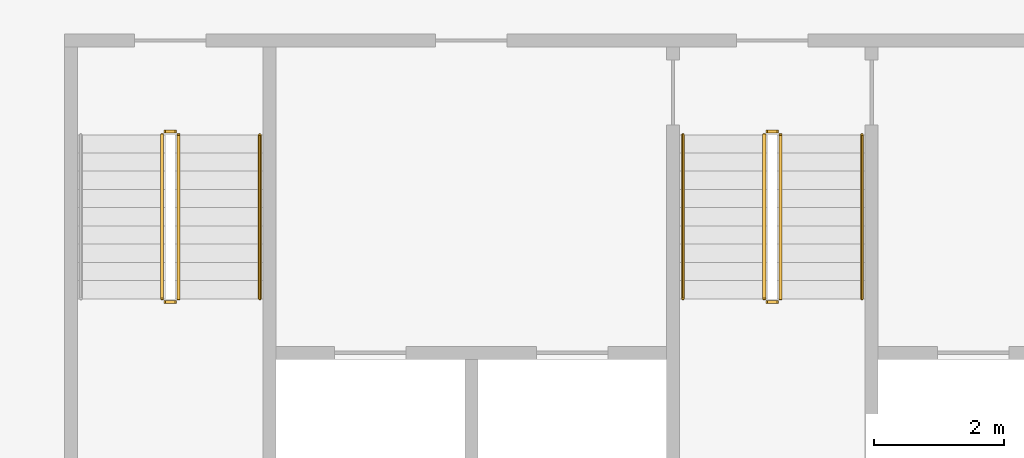
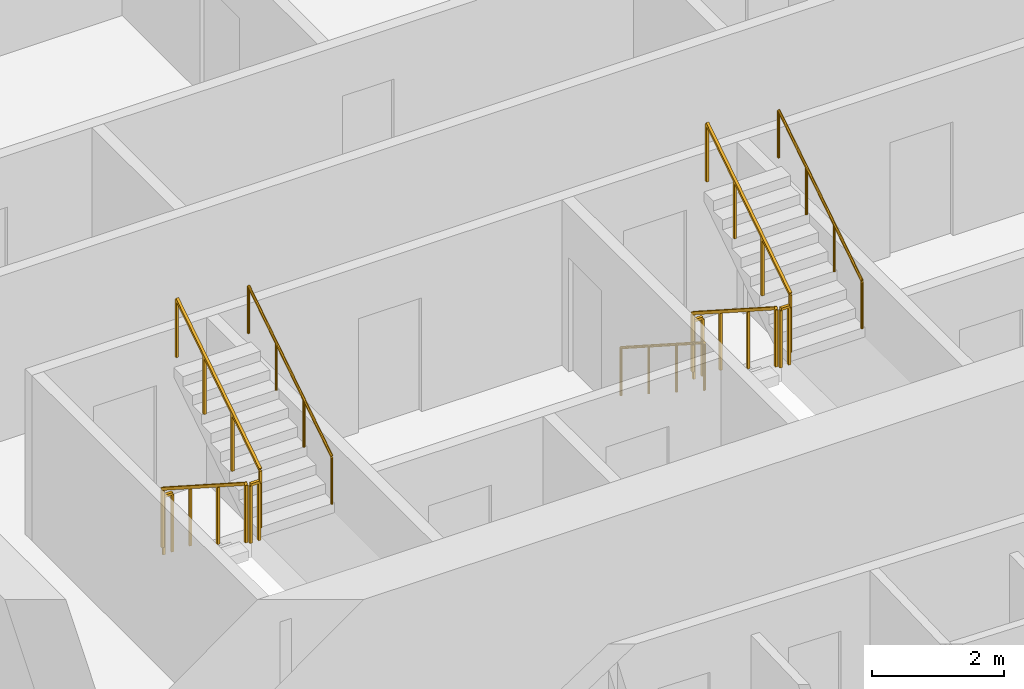
# One storey, part 14 of 16: 11 railings.
"""IFC4 building model written with IfcOpenShell, lengths in metres."""

from ifc_helpers import new_model, si_unit, direction, frame, origin, origin_2d, place, context, subcontext, project, spatial, rectangle, circle, extrude, material, type_object, element, save


model = new_model("IFC4")

# Units and contexts
model_context = context("Model", 3, precision=1e-05, world=origin(), true_north=direction((0.0, 1.0)))
body_context = subcontext(model_context, "Body", "Model", "MODEL_VIEW")
ifc_project = project(units=[si_unit("LENGTHUNIT", "METRE"), si_unit("AREAUNIT", "SQUARE_METRE"), si_unit("VOLUMEUNIT", "CUBIC_METRE"), si_unit("PLANEANGLEUNIT", "RADIAN"), si_unit("MASSUNIT", "GRAM", prefix="KILO")], contexts=[model_context])

# Site, building, storey
site_placement = place(None, origin())
site = spatial("IfcSite", under=ifc_project, at=site_placement, CompositionType="ELEMENT")
building_placement = place(site_placement, origin())
building = spatial("IfcBuilding", under=site, at=building_placement, Name="Mangrove Gate Tower", CompositionType="ELEMENT")
storey_placement = place(building_placement, frame((0.0, 0.0, 201.5)))
storey = spatial("IfcBuildingStorey", under=building, at=storey_placement, Name="L51", CompositionType="ELEMENT", Elevation=201.5)

# Railings
ifc_material_1 = material(Name="Stainless steel 316", Category="steel")
railing_type_1 = type_object("IfcRailingType", Name="Core stair guard 1100", PredefinedType="GUARDRAIL", material=ifc_material_1)
railing_1_placement = place(storey_placement, frame((-9.39990234375, -4.64990234375, 0.179931640625)))
element("IfcRailing", 1, at=railing_1_placement, inside=storey, type_object=railing_type_1, Name="L51 ST1 stair guard 1", PredefinedType="GUARDRAIL", context=body_context, shape_type="SweptSolid", body=[
    extrude(rectangle(XDim=0.048095703125, YDim=0.048095703125, at=origin_2d()), frame((0.0, 0.0, 1.076171875), z_axis=(0.0, -0.841162588446, 0.540782303519), x_axis=(1.0, 0.0, 0.0)), (0.0, 0.0, 1.0), 2.995849609375),
    extrude(rectangle(XDim=0.0419921875, YDim=0.0419921875, at=origin_2d()), origin(), (0.0, 0.0, 1.0), 1.052001953125),
    extrude(rectangle(XDim=0.0419921875, YDim=0.0419921875, at=origin_2d()), frame((0.0, -0.840087890625, 0.5400390625)), (0.0, 0.0, 1.0), 1.052001953125),
    extrude(rectangle(XDim=0.0419921875, YDim=0.0419921875, at=origin_2d()), frame((0.0, -1.679931640625, 1.080078125)), (0.0, 0.0, 1.0), 1.052001953125),
    extrude(rectangle(XDim=0.0419921875, YDim=0.0419921875, at=origin_2d()), frame((0.0, -2.52001953125, 1.6201171875)), (0.0, 0.0, 1.0), 1.052001953125),
])
railing_2_placement = place(storey_placement, frame((-9.35009765625, -7.219970703125, 1.800048828125)))
element("IfcRailing", 2, at=railing_2_placement, inside=storey, type_object=railing_type_1, Name="L51 ST1 stair guard 2", PredefinedType="GUARDRAIL", context=body_context, shape_type="SweptSolid", body=[
    extrude(rectangle(XDim=0.048095703125, YDim=0.048095703125, at=origin_2d()), frame((0.0, 0.0, 1.076171875), z_axis=(1.0, 0.0, 0.0), x_axis=(0.0, 1.0, 0.0)), (0.0, 0.0, 1.0), 0.150146484375),
    extrude(rectangle(XDim=0.0419921875, YDim=0.0419921875, at=origin_2d()), origin(), (0.0, 0.0, 1.0), 1.052001953125),
    extrude(rectangle(XDim=0.0419921875, YDim=0.0419921875, at=origin_2d()), frame((0.150146484375, 0.0, 0.0)), (0.0, 0.0, 1.0), 1.052001953125),
])
railing_3_placement = place(storey_placement, frame((-9.14990234375, -7.169921875, 1.97998046875)))
element("IfcRailing", 3, at=railing_3_placement, inside=storey, type_object=railing_type_1, Name="L51 ST1 stair guard 3", PredefinedType="GUARDRAIL", context=body_context, shape_type="SweptSolid", body=[
    extrude(rectangle(XDim=0.048095703125, YDim=0.048095703125, at=origin_2d()), frame((0.0, 0.0, 1.076171875), z_axis=(0.0, 0.841162588446, 0.540782303519), x_axis=(-1.0, 0.0, 0.0)), (0.0, 0.0, 1.0), 2.995849609375),
    extrude(rectangle(XDim=0.0419921875, YDim=0.0419921875, at=origin_2d()), origin(), (0.0, 0.0, 1.0), 1.052001953125),
    extrude(rectangle(XDim=0.0419921875, YDim=0.0419921875, at=origin_2d()), frame((0.0, 0.840087890625, 0.5400390625)), (0.0, 0.0, 1.0), 1.052001953125),
    extrude(rectangle(XDim=0.0419921875, YDim=0.0419921875, at=origin_2d()), frame((0.0, 1.679931640625, 1.080078125)), (0.0, 0.0, 1.0), 1.052001953125),
    extrude(rectangle(XDim=0.0419921875, YDim=0.0419921875, at=origin_2d()), frame((0.0, 2.52001953125, 1.6201171875)), (0.0, 0.0, 1.0), 1.052001953125),
])
railing_4_placement = place(storey_placement, frame((-9.35009765625, -4.60009765625, 0.0)))
element("IfcRailing", 4, at=railing_4_placement, inside=storey, type_object=railing_type_1, Name="L51 ST1 stair guard 4", PredefinedType="GUARDRAIL", context=body_context, shape_type="SweptSolid", body=[
    extrude(rectangle(XDim=0.048095703125, YDim=0.048095703125, at=origin_2d()), frame((0.0, 0.0, 1.076171875), z_axis=(1.0, 0.0, 0.0), x_axis=(0.0, 1.0, 0.0)), (0.0, 0.0, 1.0), 0.150146484375),
    extrude(rectangle(XDim=0.0419921875, YDim=0.0419921875, at=origin_2d()), origin(), (0.0, 0.0, 1.0), 1.052001953125),
    extrude(rectangle(XDim=0.0419921875, YDim=0.0419921875, at=origin_2d()), frame((0.150146484375, 0.0, 0.0)), (0.0, 0.0, 1.0), 1.052001953125),
])
railing_5_placement = place(storey_placement, frame((-0.14990234375, -4.64990234375, 0.179931640625)))
element("IfcRailing", 5, at=railing_5_placement, inside=storey, type_object=railing_type_1, Name="L51 ST2 stair guard 1", PredefinedType="GUARDRAIL", context=body_context, shape_type="SweptSolid", body=[
    extrude(rectangle(XDim=0.048095703125, YDim=0.048095703125, at=origin_2d()), frame((0.0, 0.0, 1.076171875), z_axis=(0.0, -0.841162588446, 0.540782303519), x_axis=(1.0, 0.0, 0.0)), (0.0, 0.0, 1.0), 2.995849609375),
    extrude(rectangle(XDim=0.0419921875, YDim=0.0419921875, at=origin_2d()), origin(), (0.0, 0.0, 1.0), 1.052001953125),
    extrude(rectangle(XDim=0.0419921875, YDim=0.0419921875, at=origin_2d()), frame((0.0, -0.840087890625, 0.5400390625)), (0.0, 0.0, 1.0), 1.052001953125),
    extrude(rectangle(XDim=0.0419921875, YDim=0.0419921875, at=origin_2d()), frame((0.0, -1.679931640625, 1.080078125)), (0.0, 0.0, 1.0), 1.052001953125),
    extrude(rectangle(XDim=0.0419921875, YDim=0.0419921875, at=origin_2d()), frame((0.0, -2.52001953125, 1.6201171875)), (0.0, 0.0, 1.0), 1.052001953125),
])
railing_6_placement = place(storey_placement, frame((-0.10009765625, -7.219970703125, 1.800048828125)))
element("IfcRailing", 6, at=railing_6_placement, inside=storey, type_object=railing_type_1, Name="L51 ST2 stair guard 2", PredefinedType="GUARDRAIL", context=body_context, shape_type="SweptSolid", body=[
    extrude(rectangle(XDim=0.048095703125, YDim=0.048095703125, at=origin_2d()), frame((0.0, 0.0, 1.076171875), z_axis=(1.0, 0.0, 0.0), x_axis=(0.0, 1.0, 0.0)), (0.0, 0.0, 1.0), 0.150146484375),
    extrude(rectangle(XDim=0.0419921875, YDim=0.0419921875, at=origin_2d()), origin(), (0.0, 0.0, 1.0), 1.052001953125),
    extrude(rectangle(XDim=0.0419921875, YDim=0.0419921875, at=origin_2d()), frame((0.150146484375, 0.0, 0.0)), (0.0, 0.0, 1.0), 1.052001953125),
])
railing_7_placement = place(storey_placement, frame((0.10009765625, -7.169921875, 1.97998046875)))
element("IfcRailing", 7, at=railing_7_placement, inside=storey, type_object=railing_type_1, Name="L51 ST2 stair guard 3", PredefinedType="GUARDRAIL", context=body_context, shape_type="SweptSolid", body=[
    extrude(rectangle(XDim=0.048095703125, YDim=0.048095703125, at=origin_2d()), frame((0.0, 0.0, 1.076171875), z_axis=(0.0, 0.841162588446, 0.540782303519), x_axis=(-1.0, 0.0, 0.0)), (0.0, 0.0, 1.0), 2.995849609375),
    extrude(rectangle(XDim=0.0419921875, YDim=0.0419921875, at=origin_2d()), origin(), (0.0, 0.0, 1.0), 1.052001953125),
    extrude(rectangle(XDim=0.0419921875, YDim=0.0419921875, at=origin_2d()), frame((0.0, 0.840087890625, 0.5400390625)), (0.0, 0.0, 1.0), 1.052001953125),
    extrude(rectangle(XDim=0.0419921875, YDim=0.0419921875, at=origin_2d()), frame((0.0, 1.679931640625, 1.080078125)), (0.0, 0.0, 1.0), 1.052001953125),
    extrude(rectangle(XDim=0.0419921875, YDim=0.0419921875, at=origin_2d()), frame((0.0, 2.52001953125, 1.6201171875)), (0.0, 0.0, 1.0), 1.052001953125),
])
railing_8_placement = place(storey_placement, frame((-0.10009765625, -4.60009765625, 0.0)))
element("IfcRailing", 8, at=railing_8_placement, inside=storey, type_object=railing_type_1, Name="L51 ST2 stair guard 4", PredefinedType="GUARDRAIL", context=body_context, shape_type="SweptSolid", body=[
    extrude(rectangle(XDim=0.048095703125, YDim=0.048095703125, at=origin_2d()), frame((0.0, 0.0, 1.076171875), z_axis=(1.0, 0.0, 0.0), x_axis=(0.0, 1.0, 0.0)), (0.0, 0.0, 1.0), 0.150146484375),
    extrude(rectangle(XDim=0.0419921875, YDim=0.0419921875, at=origin_2d()), origin(), (0.0, 0.0, 1.0), 1.052001953125),
    extrude(rectangle(XDim=0.0419921875, YDim=0.0419921875, at=origin_2d()), frame((0.150146484375, 0.0, 0.0)), (0.0, 0.0, 1.0), 1.052001953125),
])
ifc_material_2 = material(Name="Stainless steel 316", Category="steel")
railing_type_2 = type_object("IfcRailingType", Name="Core stair handrail 900", PredefinedType="HANDRAIL", material=ifc_material_2)
railing_9_placement = place(storey_placement, frame((-7.89990234375, -7.169921875, 1.97998046875)))
element("IfcRailing", 9, at=railing_9_placement, inside=storey, type_object=railing_type_2, Name="L51 ST1 stair handrail 2", PredefinedType="HANDRAIL", context=body_context, shape_type="SweptSolid", body=[
    extrude(circle(Radius=0.02392578125, at=origin_2d()), frame((0.0, 0.0, 0.8759765625), z_axis=(0.0, 0.841162588446, 0.540782303519), x_axis=(-1.0, 0.0, 0.0)), (0.0, 0.0, 1.0), 2.995849609375),
    extrude(circle(Radius=0.02099609375, at=origin_2d()), origin(), (0.0, 0.0, 1.0), 0.851806640625),
    extrude(circle(Radius=0.02099609375, at=origin_2d()), frame((0.0, 0.840087890625, 0.5400390625)), (0.0, 0.0, 1.0), 0.851806640625),
    extrude(circle(Radius=0.02099609375, at=origin_2d()), frame((0.0, 1.679931640625, 1.080078125)), (0.0, 0.0, 1.0), 0.851806640625),
    extrude(circle(Radius=0.02099609375, at=origin_2d()), frame((0.0, 2.52001953125, 1.6201171875)), (0.0, 0.0, 1.0), 0.851806640625),
])
railing_10_placement = place(storey_placement, frame((-1.39990234375, -4.64990234375, 0.179931640625)))
element("IfcRailing", 10, at=railing_10_placement, inside=storey, type_object=railing_type_2, Name="L51 ST2 stair handrail 1", PredefinedType="HANDRAIL", context=body_context, shape_type="SweptSolid", body=[
    extrude(circle(Radius=0.02392578125, at=origin_2d()), frame((0.0, 0.0, 0.8759765625), z_axis=(0.0, -0.841162588446, 0.540782303519), x_axis=(1.0, 0.0, 0.0)), (0.0, 0.0, 1.0), 2.995849609375),
    extrude(circle(Radius=0.02099609375, at=origin_2d()), origin(), (0.0, 0.0, 1.0), 0.851806640625),
    extrude(circle(Radius=0.02099609375, at=origin_2d()), frame((0.0, -0.840087890625, 0.5400390625)), (0.0, 0.0, 1.0), 0.851806640625),
    extrude(circle(Radius=0.02099609375, at=origin_2d()), frame((0.0, -1.679931640625, 1.080078125)), (0.0, 0.0, 1.0), 0.851806640625),
    extrude(circle(Radius=0.02099609375, at=origin_2d()), frame((0.0, -2.52001953125, 1.6201171875)), (0.0, 0.0, 1.0), 0.851806640625),
])
railing_11_placement = place(storey_placement, frame((1.35009765625, -7.169921875, 1.97998046875)))
element("IfcRailing", 11, at=railing_11_placement, inside=storey, type_object=railing_type_2, Name="L51 ST2 stair handrail 2", PredefinedType="HANDRAIL", context=body_context, shape_type="SweptSolid", body=[
    extrude(circle(Radius=0.02392578125, at=origin_2d()), frame((0.0, 0.0, 0.8759765625), z_axis=(0.0, 0.841162588446, 0.540782303519), x_axis=(-1.0, 0.0, 0.0)), (0.0, 0.0, 1.0), 2.995849609375),
    extrude(circle(Radius=0.02099609375, at=origin_2d()), origin(), (0.0, 0.0, 1.0), 0.851806640625),
    extrude(circle(Radius=0.02099609375, at=origin_2d()), frame((0.0, 0.840087890625, 0.5400390625)), (0.0, 0.0, 1.0), 0.851806640625),
    extrude(circle(Radius=0.02099609375, at=origin_2d()), frame((0.0, 1.679931640625, 1.080078125)), (0.0, 0.0, 1.0), 0.851806640625),
    extrude(circle(Radius=0.02099609375, at=origin_2d()), frame((0.0, 2.52001953125, 1.6201171875)), (0.0, 0.0, 1.0), 0.851806640625),
])

save(model, "model.ifc")
